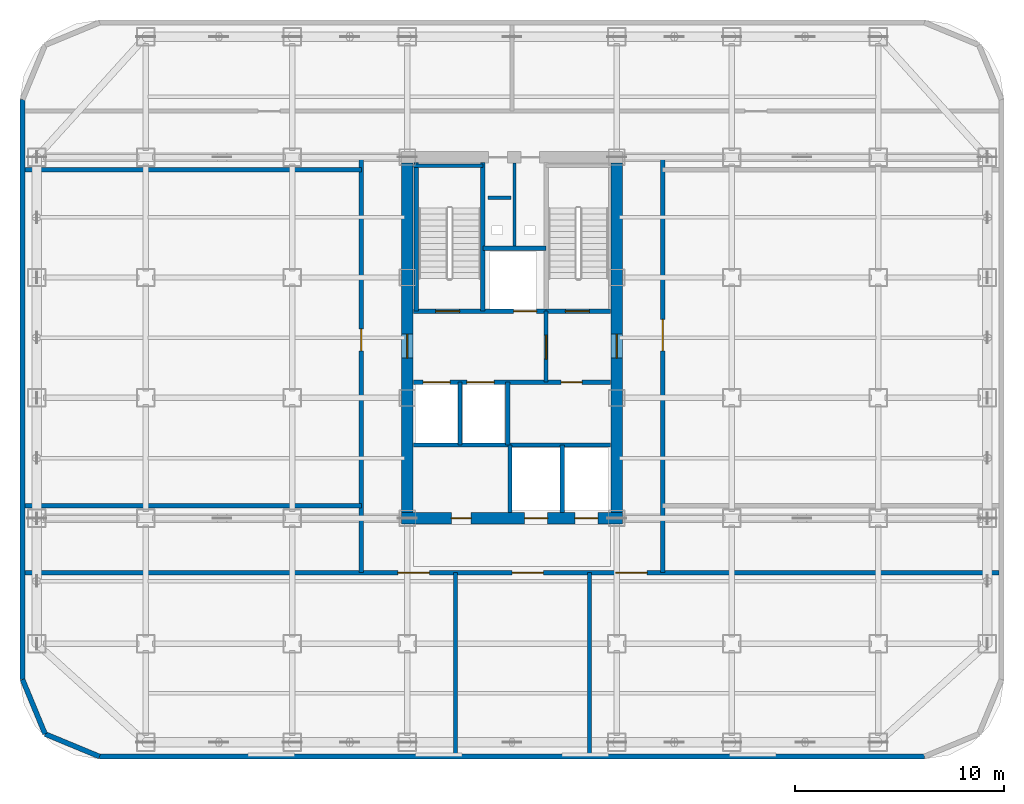
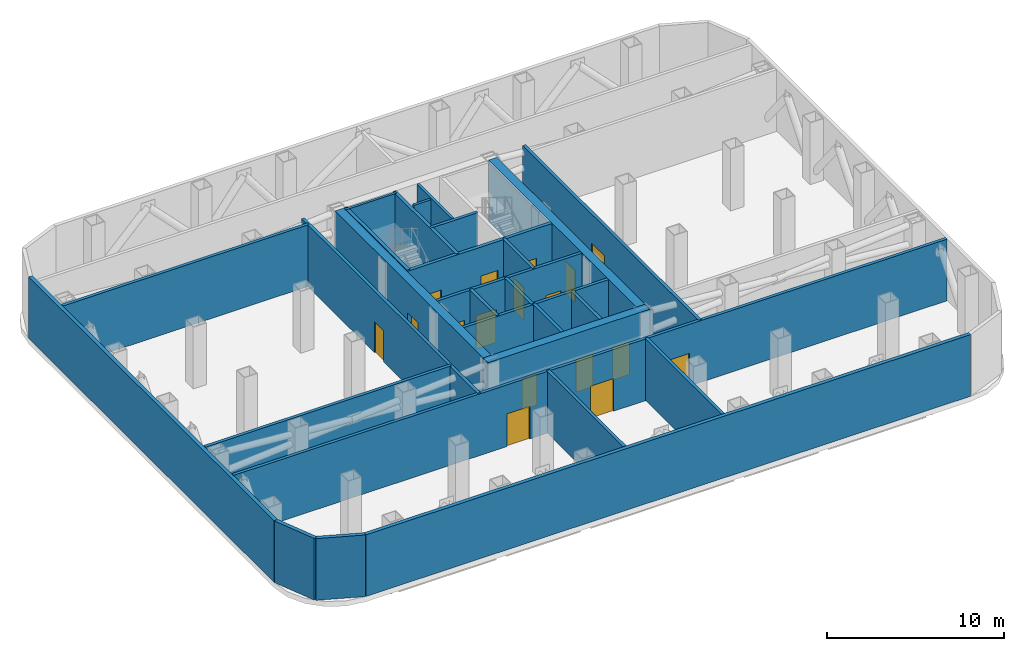
# One storey, part 7 of 9: 29 walls, 17 doors, 17 openings.
"""IFC4 building model written with IfcOpenShell, lengths in metres."""

from ifc_helpers import new_model, si_unit, direction, frame, frame_2d, origin, place, context, subcontext, project, spatial, rectangle, extrude, material, layer, layer_set, type_object, element, fill, save


model = new_model("IFC4")

# Units and contexts
model_context = context("Model", 3, precision=1e-05, world=origin(), true_north=direction((0.0, 1.0)))
body_context = subcontext(model_context, "Body", "Model", "MODEL_VIEW")
ifc_project = project(units=[si_unit("LENGTHUNIT", "METRE"), si_unit("AREAUNIT", "SQUARE_METRE"), si_unit("VOLUMEUNIT", "CUBIC_METRE"), si_unit("PLANEANGLEUNIT", "RADIAN"), si_unit("MASSUNIT", "GRAM", prefix="KILO")], contexts=[model_context])

# Site, building, storey
site_placement = place(None, origin())
site = spatial("IfcSite", under=ifc_project, at=site_placement, CompositionType="ELEMENT")
building_placement = place(site_placement, origin())
building = spatial("IfcBuilding", under=site, at=building_placement, Name="Kolveth Station Tower", CompositionType="ELEMENT")
storey_placement = place(building_placement, frame((0.0, 0.0, 143.89990234375)))
storey = spatial("IfcBuildingStorey", under=building, at=storey_placement, Name="L40", CompositionType="ELEMENT", Elevation=143.89990234375)

# Wall, openings, doors
ifc_material_1 = material(Name="Concrete C60/75", Category="concrete")
ifc_layer_1 = layer(ifc_material_1, 0.550048828125)
ifc_layer_set_1 = layer_set([ifc_layer_1], Name="Concrete C60/75")
wall_type_1 = type_object("IfcWallType", Name="Wall_CW-550", PredefinedType="SHEAR", material=ifc_layer_set_1)
wall_1_placement = place(storey_placement, frame((18.22509765625, 11.5, 0.0), z_axis=(0.0, 0.0, 1.0), x_axis=(1.0, 0.0, 0.0)))
wall_1 = element("IfcWall", 1, at=wall_1_placement, inside=storey, type_object=wall_type_1, Name="L40 Core RC Shear Wall S", PredefinedType="SHEAR", context=body_context, shape_type="SweptSolid", body=[
    extrude(rectangle(XDim=10.5498046875, YDim=0.550048828125, at=frame_2d((5.27490234375, 0.0))), origin(), (0.0, 0.0, 1.0), 4.25),
])
opening_1_placement = place(wall_1_placement, frame((2.375, 0.0, 0.0)))
opening_1 = element("IfcOpeningElement", 2, at=opening_1_placement, cuts=wall_1, Name="Opening ID1", PredefinedType="OPENING", context=body_context, shape_type="SweptSolid", body=[
    extrude(rectangle(XDim=0.949951171875, YDim=2.14990234375, at=frame_2d((0.47509765625, 1.074951171875))), frame((0.0, 0.284912109375, 0.0), z_axis=(0.0, -1.0, 0.0), x_axis=(1.0, 0.0, 0.0)), (0.0, 0.0, 1.0), 0.570068359375),
])
opening_2_placement = place(wall_1_placement, frame((5.875, 0.0, 0.0)))
opening_2 = element("IfcOpeningElement", 3, at=opening_2_placement, cuts=wall_1, Name="Opening LD1", PredefinedType="OPENING", context=body_context, shape_type="SweptSolid", body=[
    extrude(rectangle(XDim=1.10009765625, YDim=2.25, at=frame_2d((0.550048828125, 1.125))), frame((0.0, 0.284912109375, 0.0), z_axis=(0.0, -1.0, 0.0), x_axis=(1.0, 0.0, 0.0)), (0.0, 0.0, 1.0), 0.570068359375),
])
opening_3_placement = place(wall_1_placement, frame((8.27490234375, 0.0, 0.0)))
opening_3 = element("IfcOpeningElement", 4, at=opening_3_placement, cuts=wall_1, Name="Opening LD1", PredefinedType="OPENING", context=body_context, shape_type="SweptSolid", body=[
    extrude(rectangle(XDim=1.10009765625, YDim=2.25, at=frame_2d((0.550048828125, 1.125))), frame((0.0, 0.284912109375, 0.0), z_axis=(0.0, -1.0, 0.0), x_axis=(1.0, 0.0, 0.0)), (0.0, 0.0, 1.0), 0.570068359375),
])
ifc_material_2 = material(Name="Acoustic hardwood leaf and aluminium frame", Category="wood")
door_type_1 = type_object("IfcDoorType", Name="Door_ID1", OperationType="NOTDEFINED", PredefinedType="DOOR", material=ifc_material_2)
door_1_placement = place(opening_1_placement, frame((0.949951171875, 0.0, 0.0), z_axis=(0.0, 0.0, 1.0), x_axis=(-1.0, 0.0, 0.0)))
door_1 = element("IfcDoor", 5, at=door_1_placement, inside=storey, type_object=door_type_1, Name="L40 Hotel Pantry Door", OperationType="SINGLE_SWING_LEFT", OverallHeight=2.14990234375, OverallWidth=0.949951171875, PredefinedType="DOOR", context=body_context, shape_type="SweptSolid", body=[
    extrude(rectangle(XDim=0.949951171875, YDim=2.14990234375, at=frame_2d((0.47509765625, 1.074951171875))), frame((0.0, 0.02490234375, 0.0), z_axis=(0.0, -1.0, 0.0), x_axis=(1.0, 0.0, 0.0)), (0.0, 0.0, 1.0), 0.050048828125),
])
fill(opening_1, door_1)
ifc_material_3 = material(Name="Brushed stainless steel sliding landing doors", Category="steel")
door_type_2 = type_object("IfcDoorType", Name="Door_LD1", OperationType="NOTDEFINED", PredefinedType="DOOR", material=ifc_material_3)
door_2_placement = place(opening_2_placement, frame((1.10009765625, 0.0, 0.0), z_axis=(0.0, 0.0, 1.0), x_axis=(-1.0, 0.0, 0.0)))
door_2 = element("IfcDoor", 6, at=door_2_placement, inside=storey, type_object=door_type_2, Name="L40 Lift PM1 Landing Door", OperationType="DOUBLE_DOOR_SLIDING", OverallHeight=2.25, OverallWidth=1.10009765625, PredefinedType="DOOR", context=body_context, shape_type="SweptSolid", body=[
    extrude(rectangle(XDim=1.10009765625, YDim=2.25, at=frame_2d((0.550048828125, 1.125))), frame((0.0, 0.02490234375, 0.0), z_axis=(0.0, -1.0, 0.0), x_axis=(1.0, 0.0, 0.0)), (0.0, 0.0, 1.0), 0.050048828125),
])
fill(opening_2, door_2)
door_3_placement = place(opening_3_placement, frame((1.10009765625, 0.0, 0.0), z_axis=(0.0, 0.0, 1.0), x_axis=(-1.0, 0.0, 0.0)))
door_3 = element("IfcDoor", 7, at=door_3_placement, inside=storey, type_object=door_type_2, Name="L40 Lift PH1 Landing Door", OperationType="DOUBLE_DOOR_SLIDING", OverallHeight=2.25, OverallWidth=1.10009765625, PredefinedType="DOOR", context=body_context, shape_type="SweptSolid", body=[
    extrude(rectangle(XDim=1.10009765625, YDim=2.25, at=frame_2d((0.550048828125, 1.125))), frame((0.0, 0.02490234375, 0.0), z_axis=(0.0, -1.0, 0.0), x_axis=(1.0, 0.0, 0.0)), (0.0, 0.0, 1.0), 0.050048828125),
])
fill(opening_3, door_3)

# Wall, opening, door
wall_2_placement = place(storey_placement, frame((18.5, 11.77490234375, 0.0), z_axis=(0.0, 0.0, 1.0), x_axis=(0.0, 1.0, 0.0)))
wall_2 = element("IfcWall", 8, at=wall_2_placement, inside=storey, type_object=wall_type_1, Name="L40 Core RC Shear Wall W", PredefinedType="SHEAR", context=body_context, shape_type="SweptSolid", body=[
    extrude(rectangle(XDim=16.7001953125, YDim=0.550048828125, at=frame_2d((8.35009765625, 0.0))), origin(), (0.0, 0.0, 1.0), 4.25),
])
opening_4_placement = place(wall_2_placement, frame((7.375, 0.0, 0.0)))
opening_4 = element("IfcOpeningElement", 9, at=opening_4_placement, cuts=wall_2, Name="Opening FD1", PredefinedType="OPENING", context=body_context, shape_type="SweptSolid", body=[
    extrude(rectangle(XDim=1.14990234375, YDim=2.199951171875, at=frame_2d((0.574951171875, 1.10009765625))), frame((0.0, 0.284912109375, 0.0), z_axis=(0.0, -1.0, 0.0), x_axis=(1.0, 0.0, 0.0)), (0.0, 0.0, 1.0), 0.570068359375),
])
ifc_material_4 = material(Name="Fire-rated Steel S355 leaf and frame", Category="steel")
door_type_3 = type_object("IfcDoorType", Name="Door_FD1", OperationType="NOTDEFINED", PredefinedType="DOOR", material=ifc_material_4)
door_4_placement = place(opening_4_placement, frame((1.14990234375, 0.0, 0.0), z_axis=(0.0, 0.0, 1.0), x_axis=(-1.0, 0.0, 0.0)))
door_4 = element("IfcDoor", 10, at=door_4_placement, inside=storey, type_object=door_type_3, Name="L40 West Corridor to Firefighting Lobby Door", OperationType="SINGLE_SWING_LEFT", OverallHeight=2.199951171875, OverallWidth=1.14990234375, PredefinedType="DOOR", context=body_context, shape_type="SweptSolid", body=[
    extrude(rectangle(XDim=1.14990234375, YDim=2.199951171875, at=frame_2d((0.574951171875, 1.10009765625))), frame((0.0, 0.02490234375, 0.0), z_axis=(0.0, -1.0, 0.0), x_axis=(1.0, 0.0, 0.0)), (0.0, 0.0, 1.0), 0.050048828125),
])
fill(opening_4, door_4)

wall_3_placement = place(storey_placement, frame((28.5, 11.77490234375, 0.0), z_axis=(0.0, 0.0, 1.0), x_axis=(0.0, 1.0, 0.0)))
wall_3 = element("IfcWall", 11, at=wall_3_placement, inside=storey, type_object=wall_type_1, Name="L40 Core RC Shear Wall E", PredefinedType="SHEAR", context=body_context, shape_type="SweptSolid", body=[
    extrude(rectangle(XDim=16.7001953125, YDim=0.550048828125, at=frame_2d((8.35009765625, 0.0))), origin(), (0.0, 0.0, 1.0), 4.25),
])
opening_5_placement = place(wall_3_placement, frame((7.375, 0.0, 0.0)))
opening_5 = element("IfcOpeningElement", 12, at=opening_5_placement, cuts=wall_3, Name="Opening FD1", PredefinedType="OPENING", context=body_context, shape_type="SweptSolid", body=[
    extrude(rectangle(XDim=1.14990234375, YDim=2.199951171875, at=frame_2d((0.574951171875, 1.10009765625))), frame((0.0, 0.284912109375, 0.0), z_axis=(0.0, -1.0, 0.0), x_axis=(1.0, 0.0, 0.0)), (0.0, 0.0, 1.0), 0.570068359375),
])
door_5_placement = place(opening_5_placement, origin())
door_5 = element("IfcDoor", 13, at=door_5_placement, inside=storey, type_object=door_type_3, Name="L40 East Corridor to Stair Lobby Door", OperationType="SINGLE_SWING_LEFT", OverallHeight=2.199951171875, OverallWidth=1.14990234375, PredefinedType="DOOR", context=body_context, shape_type="SweptSolid", body=[
    extrude(rectangle(XDim=1.14990234375, YDim=2.199951171875, at=frame_2d((0.574951171875, 1.10009765625))), frame((0.0, 0.02490234375, 0.0), z_axis=(0.0, -1.0, 0.0), x_axis=(1.0, 0.0, 0.0)), (0.0, 0.0, 1.0), 0.050048828125),
])
fill(opening_5, door_5)

# Walls
ifc_material_5 = material(Name="Precast concrete C40/50", Category="concrete")
ifc_layer_2 = layer(ifc_material_5, 0.239990234375)
ifc_layer_set_2 = layer_set([ifc_layer_2], Name="Precast concrete C40/50")
wall_type_2 = type_object("IfcWallType", Name="Wall_EW-240", PredefinedType="SOLIDWALL", material=ifc_layer_set_2)
wall_4_placement = place(storey_placement, frame((0.1201171875, 31.5, 0.0), z_axis=(0.0, 0.0, 1.0), x_axis=(0.0, -1.0, 0.0)))
element("IfcWall", 14, at=wall_4_placement, inside=storey, type_object=wall_type_2, Name="L40 Plant Perimeter Spandrel Wall 9", PredefinedType="SOLIDWALL", context=body_context, shape_type="SweptSolid", body=[
    extrude(rectangle(XDim=27.699951171875, YDim=0.239990234375, at=frame_2d((13.85009765625, 0.0))), origin(), (0.0, 0.0, 1.0), 4.25),
])
for number, where, z_axis, x_axis, name in (
    (15, (0.1201171875, 3.800048828125, 0.0), (0.0, 0.0, 1.0), (0.382601872337, -0.923913311563, 0.0), "L40 Plant Perimeter Spandrel Wall 10"),
    (16, (1.19775390625, 1.19775390625, 0.0), (0.0, 0.0, 1.0), (0.923913311563, -0.382601872337, 0.0), "L40 Plant Perimeter Spandrel Wall 11"),
):
    element("IfcWall", number, at=place(storey_placement, frame(where, z_axis=z_axis, x_axis=x_axis)), inside=storey, type_object=wall_type_2, Name=name, PredefinedType="SOLIDWALL", context=body_context, shape_type="SweptSolid", body=[
        extrude(rectangle(XDim=2.816650390625, YDim=0.239990234375, at=frame_2d((1.408203125, 0.0))), origin(), (0.0, 0.0, 1.0), 4.25),
    ])
wall_5_placement = place(storey_placement, frame((3.800048828125, 0.1201171875, 0.0), z_axis=(0.0, 0.0, 1.0), x_axis=(1.0, 0.0, 0.0)))
element("IfcWall", 17, at=wall_5_placement, inside=storey, type_object=wall_type_2, Name="L40 Plant Perimeter Spandrel Wall 12", PredefinedType="SOLIDWALL", context=body_context, shape_type="SweptSolid", body=[
    extrude(rectangle(XDim=39.39990234375, YDim=0.239990234375, at=frame_2d((19.699951171875, 0.0))), origin(), (0.0, 0.0, 1.0), 4.25),
])
ifc_material_6 = material(Name="Acoustic double-stud gypsum partition")
ifc_layer_3 = layer(ifc_material_6, 0.1650390625)
ifc_layer_set_3 = layer_set([ifc_layer_3], Name="Acoustic double-stud gypsum partition")
wall_type_3 = type_object("IfcWallType", Name="Wall_IW-165", PredefinedType="PARTITIONING", material=ifc_layer_set_3)
wall_6_placement = place(storey_placement, frame((18.784912109375, 28.3349609375, 0.0), z_axis=(0.0, 0.0, 1.0), x_axis=(1.0, 0.0, 0.0)))
element("IfcWall", 18, at=wall_6_placement, inside=storey, type_object=wall_type_3, Name="L40 Stair Shaft Wall WL-L40-ST1-N", PredefinedType="PARTITIONING", context=body_context, shape_type="SweptSolid", body=[
    extrude(rectangle(XDim=3.3251953125, YDim=0.1650390625, at=frame_2d((1.66259765625, 0.0))), origin(), (0.0, 0.0, 1.0), 4.25),
])
wall_7_placement = place(storey_placement, frame((23.6201171875, 24.39990234375, 0.0), z_axis=(0.0, 0.0, 1.0), x_axis=(0.0, 1.0, 0.0)))
element("IfcWall", 19, at=wall_7_placement, inside=storey, type_object=wall_type_3, Name="L40 Partition Wall WL-L40-RSR-M", PredefinedType="PARTITIONING", context=body_context, shape_type="SweptSolid", body=[
    extrude(rectangle(XDim=4.065185546875, YDim=0.1650390625, at=frame_2d((2.03271484375, 0.0))), origin(), (0.0, 0.0, 1.0), 4.25),
])
wall_8_placement = place(storey_placement, frame((22.35009765625, 26.800048828125, 0.0), z_axis=(0.0, 0.0, 1.0), x_axis=(1.0, 0.0, 0.0)))
element("IfcWall", 20, at=wall_8_placement, inside=storey, type_object=wall_type_3, Name="L40 Acoustic Riser Dry-Lining Wall", PredefinedType="PARTITIONING", context=body_context, shape_type="SweptSolid", body=[
    extrude(rectangle(XDim=1.099853515625, YDim=0.1650390625, at=frame_2d((0.5498046875, 0.0))), origin(), (0.0, 0.0, 1.0), 4.25),
])
ifc_material_7 = material(Name="Acoustic fire-rated gypsum blockwork", Category="masonry")
ifc_layer_4 = layer(ifc_material_7, 0.199951171875)
ifc_layer_set_4 = layer_set([ifc_layer_4], Name="Acoustic fire-rated gypsum blockwork")
wall_type_4 = type_object("IfcWallType", Name="Wall_IW-200", PredefinedType="PARTITIONING", material=ifc_layer_set_4)
wall_9_placement = place(storey_placement, frame((22.110107421875, 24.39990234375, 0.0), z_axis=(0.0, 0.0, 1.0), x_axis=(1.0, 0.0, 0.0)))
element("IfcWall", 21, at=wall_9_placement, inside=storey, type_object=wall_type_4, Name="L40 Partition Wall WL-L40-RSR-S", PredefinedType="PARTITIONING", context=body_context, shape_type="SweptSolid", body=[
    extrude(rectangle(XDim=3.019775390625, YDim=0.199951171875, at=frame_2d((1.509765625, 0.0))), origin(), (0.0, 0.0, 1.0), 4.25),
])

# Wall, opening, door
wall_10_placement = place(storey_placement, frame((25.1298828125, 18.0, 0.0), z_axis=(0.0, 0.0, 1.0), x_axis=(0.0, 1.0, 0.0)))
wall_10 = element("IfcWall", 22, at=wall_10_placement, inside=storey, type_object=wall_type_4, Name="L40 Partition Wall WL-L40-FFL-E", PredefinedType="PARTITIONING", context=body_context, shape_type="SweptSolid", body=[
    extrude(rectangle(XDim=3.389892578125, YDim=0.199951171875, at=frame_2d((1.69482421875, 0.0))), origin(), (0.0, 0.0, 1.0), 4.25),
])
opening_6_placement = place(wall_10_placement, frame((1.10009765625, 0.0, 0.0)))
opening_6 = element("IfcOpeningElement", 23, at=opening_6_placement, cuts=wall_10, Name="Opening FD1", PredefinedType="OPENING", context=body_context, shape_type="SweptSolid", body=[
    extrude(rectangle(XDim=1.14990234375, YDim=2.199951171875, at=frame_2d((0.574951171875, 1.10009765625))), frame((0.0, 0.10986328125, 0.0), z_axis=(0.0, -1.0, 0.0), x_axis=(1.0, 0.0, 0.0)), (0.0, 0.0, 1.0), 0.219970703125),
])
door_6_placement = place(opening_6_placement, origin())
door_6 = element("IfcDoor", 24, at=door_6_placement, inside=storey, type_object=door_type_3, Name="L40 Firefighting to Stair Lobby Door", OperationType="SINGLE_SWING_LEFT", OverallHeight=2.199951171875, OverallWidth=1.14990234375, PredefinedType="DOOR", context=body_context, shape_type="SweptSolid", body=[
    extrude(rectangle(XDim=1.14990234375, YDim=2.199951171875, at=frame_2d((0.574951171875, 1.10009765625))), frame((0.0, 0.02490234375, 0.0), z_axis=(0.0, -1.0, 0.0), x_axis=(1.0, 0.0, 0.0)), (0.0, 0.0, 1.0), 0.050048828125),
])
fill(opening_6, door_6)

# Wall, openings, doors
wall_11_placement = place(storey_placement, frame((18.784912109375, 18.0, 0.0), z_axis=(0.0, 0.0, 1.0), x_axis=(1.0, 0.0, 0.0)))
wall_11 = element("IfcWall", 25, at=wall_11_placement, inside=storey, type_object=wall_type_4, Name="L40 Partition Wall WL-L40-FFL-S", PredefinedType="PARTITIONING", context=body_context, shape_type="SweptSolid", body=[
    extrude(rectangle(XDim=9.43017578125, YDim=0.199951171875, at=frame_2d((4.715087890625, 0.0))), origin(), (0.0, 0.0, 1.0), 4.25),
])
opening_7_placement = place(wall_11_placement, frame((0.465087890625, 0.0, 0.0)))
opening_7 = element("IfcOpeningElement", 26, at=opening_7_placement, cuts=wall_11, Name="Opening LD2", PredefinedType="OPENING", context=body_context, shape_type="SweptSolid", body=[
    extrude(rectangle(XDim=1.300048828125, YDim=2.300048828125, at=frame_2d((0.64990234375, 1.14990234375))), frame((0.0, 0.10986328125, 0.0), z_axis=(0.0, -1.0, 0.0), x_axis=(1.0, 0.0, 0.0)), (0.0, 0.0, 1.0), 0.219970703125),
])
opening_8_placement = place(wall_11_placement, frame((2.56494140625, 0.0, 0.0)))
opening_8 = element("IfcOpeningElement", 27, at=opening_8_placement, cuts=wall_11, Name="Opening LD2", PredefinedType="OPENING", context=body_context, shape_type="SweptSolid", body=[
    extrude(rectangle(XDim=1.300048828125, YDim=2.300048828125, at=frame_2d((0.64990234375, 1.14990234375))), frame((0.0, 0.10986328125, 0.0), z_axis=(0.0, -1.0, 0.0), x_axis=(1.0, 0.0, 0.0)), (0.0, 0.0, 1.0), 0.219970703125),
])
opening_9_placement = place(wall_11_placement, frame((7.06494140625, 0.0, 0.0)))
opening_9 = element("IfcOpeningElement", 28, at=opening_9_placement, cuts=wall_11, Name="Opening FD3", PredefinedType="OPENING", context=body_context, shape_type="SweptSolid", body=[
    extrude(rectangle(XDim=1.0, YDim=2.14990234375, at=frame_2d((0.5, 1.074951171875))), frame((0.0, 0.10986328125, 0.0), z_axis=(0.0, -1.0, 0.0), x_axis=(1.0, 0.0, 0.0)), (0.0, 0.0, 1.0), 0.219970703125),
])
ifc_material_8 = material(Name="Fire-rated hardwood leaf and aluminium frame", Category="wood")
door_type_4 = type_object("IfcDoorType", Name="Door_FD3", OperationType="NOTDEFINED", PredefinedType="DOOR", material=ifc_material_8)
door_7_placement = place(opening_9_placement, frame((1.0, 0.0, 0.0), z_axis=(0.0, 0.0, 1.0), x_axis=(-1.0, 0.0, 0.0)))
door_7 = element("IfcDoor", 29, at=door_7_placement, inside=storey, type_object=door_type_4, Name="L40 Housekeeping and Linen Room Door", OperationType="SINGLE_SWING_RIGHT", OverallHeight=2.14990234375, OverallWidth=1.0, PredefinedType="DOOR", context=body_context, shape_type="SweptSolid", body=[
    extrude(rectangle(XDim=1.0, YDim=2.14990234375, at=frame_2d((0.5, 1.074951171875))), frame((0.0, 0.02490234375, 0.0), z_axis=(0.0, -1.0, 0.0), x_axis=(1.0, 0.0, 0.0)), (0.0, 0.0, 1.0), 0.050048828125),
])
fill(opening_9, door_7)
ifc_material_9 = material(Name="Firefighting stainless steel sliding landing doors", Category="steel")
door_type_5 = type_object("IfcDoorType", Name="Door_LD2", OperationType="NOTDEFINED", PredefinedType="DOOR", material=ifc_material_9)
door_8_placement = place(opening_7_placement, origin())
door_8 = element("IfcDoor", 30, at=door_8_placement, inside=storey, type_object=door_type_5, Name="L40 Firefighting Lift FF1 Landing Door", OperationType="DOUBLE_DOOR_SLIDING", OverallHeight=2.300048828125, OverallWidth=1.300048828125, PredefinedType="DOOR", context=body_context, shape_type="SweptSolid", body=[
    extrude(rectangle(XDim=1.300048828125, YDim=2.300048828125, at=frame_2d((0.64990234375, 1.14990234375))), frame((0.0, 0.02490234375, 0.0), z_axis=(0.0, -1.0, 0.0), x_axis=(1.0, 0.0, 0.0)), (0.0, 0.0, 1.0), 0.050048828125),
])
fill(opening_7, door_8)
door_9_placement = place(opening_8_placement, origin())
door_9 = element("IfcDoor", 31, at=door_9_placement, inside=storey, type_object=door_type_5, Name="L40 Firefighting Lift FF2 Landing Door", OperationType="DOUBLE_DOOR_SLIDING", OverallHeight=2.300048828125, OverallWidth=1.300048828125, PredefinedType="DOOR", context=body_context, shape_type="SweptSolid", body=[
    extrude(rectangle(XDim=1.300048828125, YDim=2.300048828125, at=frame_2d((0.64990234375, 1.14990234375))), frame((0.0, 0.02490234375, 0.0), z_axis=(0.0, -1.0, 0.0), x_axis=(1.0, 0.0, 0.0)), (0.0, 0.0, 1.0), 0.050048828125),
])
fill(opening_8, door_9)

# Walls
for number, where, z_axis, x_axis, name in (
    (32, (21.02001953125, 15.0, 0.0), (0.0, 0.0, 1.0), (0.0, 1.0, 0.0), "L40 Partition Wall WL-L40-FF12"),
    (33, (23.300048828125, 15.0, 0.0), (0.0, 0.0, 1.0), (0.0, 1.0, 0.0), "L40 Partition Wall WL-L40-FF2E"),
):
    element("IfcWall", number, at=place(storey_placement, frame(where, z_axis=z_axis, x_axis=x_axis)), inside=storey, type_object=wall_type_4, Name=name, PredefinedType="PARTITIONING", context=body_context, shape_type="SweptSolid", body=[
        extrude(rectangle(XDim=3.0, YDim=0.199951171875, at=frame_2d((1.5, 0.0))), origin(), (0.0, 0.0, 1.0), 4.25),
    ])
wall_12_placement = place(storey_placement, frame((18.784912109375, 15.0, 0.0), z_axis=(0.0, 0.0, 1.0), x_axis=(1.0, 0.0, 0.0)))
element("IfcWall", 34, at=wall_12_placement, inside=storey, type_object=wall_type_4, Name="L40 Partition Wall WL-L40-BOH-S", PredefinedType="PARTITIONING", context=body_context, shape_type="SweptSolid", body=[
    extrude(rectangle(XDim=9.43017578125, YDim=0.199951171875, at=frame_2d((4.715087890625, 0.0))), origin(), (0.0, 0.0, 1.0), 4.25),
])
for number, where, z_axis, x_axis, name in (
    (35, (23.39990234375, 11.784912109375, 0.0), (0.0, 0.0, 1.0), (0.0, 1.0, 0.0), "L40 Partition Wall WL-L40-PL2E"),
    (36, (25.89990234375, 11.784912109375, 0.0), (0.0, 0.0, 1.0), (0.0, 1.0, 0.0), "L40 Partition Wall WL-L40-PMPH"),
):
    element("IfcWall", number, at=place(storey_placement, frame(where, z_axis=z_axis, x_axis=x_axis)), inside=storey, type_object=wall_type_4, Name=name, PredefinedType="PARTITIONING", context=body_context, shape_type="SweptSolid", body=[
        extrude(rectangle(XDim=3.215087890625, YDim=0.199951171875, at=frame_2d((1.607421875, 0.0))), origin(), (0.0, 0.0, 1.0), 4.25),
    ])

# Wall, openings, doors
wall_13_placement = place(storey_placement, frame((0.25, 8.89990234375, 0.0), z_axis=(0.0, 0.0, 1.0), x_axis=(1.0, 0.0, 0.0)))
wall_13 = element("IfcWall", 37, at=wall_13_placement, inside=storey, type_object=wall_type_4, Name="L40 Partition Wall WL-L40-PR-S", PredefinedType="PARTITIONING", context=body_context, shape_type="SweptSolid", body=[
    extrude(rectangle(XDim=46.5, YDim=0.199951171875, at=frame_2d((23.25, 0.0))), origin(), (0.0, 0.0, 1.0), 4.25),
])
opening_10_placement = place(wall_13_placement, frame((17.800048828125, 0.0, 0.0)))
opening_10 = element("IfcOpeningElement", 38, at=opening_10_placement, cuts=wall_13, Name="Opening FD4", PredefinedType="OPENING", context=body_context, shape_type="SweptSolid", body=[
    extrude(rectangle(XDim=1.5, YDim=2.25, at=frame_2d((0.75, 1.125))), frame((0.0, 0.10986328125, 0.0), z_axis=(0.0, -1.0, 0.0), x_axis=(1.0, 0.0, 0.0)), (0.0, 0.0, 1.0), 0.219970703125),
])
opening_11_placement = place(wall_13_placement, frame((23.25, 0.0, 0.0)))
opening_11 = element("IfcOpeningElement", 39, at=opening_11_placement, cuts=wall_13, Name="Opening FD4", PredefinedType="OPENING", context=body_context, shape_type="SweptSolid", body=[
    extrude(rectangle(XDim=1.5, YDim=2.25, at=frame_2d((0.75, 1.125))), frame((0.0, 0.10986328125, 0.0), z_axis=(0.0, -1.0, 0.0), x_axis=(1.0, 0.0, 0.0)), (0.0, 0.0, 1.0), 0.219970703125),
])
opening_12_placement = place(wall_13_placement, frame((28.199951171875, 0.0, 0.0)))
opening_12 = element("IfcOpeningElement", 40, at=opening_12_placement, cuts=wall_13, Name="Opening FD4", PredefinedType="OPENING", context=body_context, shape_type="SweptSolid", body=[
    extrude(rectangle(XDim=1.5, YDim=2.25, at=frame_2d((0.75, 1.125))), frame((0.0, 0.10986328125, 0.0), z_axis=(0.0, -1.0, 0.0), x_axis=(1.0, 0.0, 0.0)), (0.0, 0.0, 1.0), 0.219970703125),
])
ifc_material_10 = material(Name="Fire-rated double Steel S355 leaf", Category="steel")
door_type_6 = type_object("IfcDoorType", Name="Door_FD4", OperationType="NOTDEFINED", PredefinedType="DOOR", material=ifc_material_10)
door_10_placement = place(opening_10_placement, frame((1.5, 0.0, 0.0), z_axis=(0.0, 0.0, 1.0), x_axis=(-1.0, 0.0, 0.0)))
door_10 = element("IfcDoor", 41, at=door_10_placement, inside=storey, type_object=door_type_6, Name="L40 Chiller Plant Room Door", OperationType="SINGLE_SWING_RIGHT", OverallHeight=2.25, OverallWidth=1.5, PredefinedType="DOOR", context=body_context, shape_type="SweptSolid", body=[
    extrude(rectangle(XDim=1.5, YDim=2.25, at=frame_2d((0.75, 1.125))), frame((0.0, 0.02490234375, 0.0), z_axis=(0.0, -1.0, 0.0), x_axis=(1.0, 0.0, 0.0)), (0.0, 0.0, 1.0), 0.050048828125),
])
fill(opening_10, door_10)
door_11_placement = place(opening_11_placement, frame((1.5, 0.0, 0.0), z_axis=(0.0, 0.0, 1.0), x_axis=(-1.0, 0.0, 0.0)))
door_11 = element("IfcDoor", 42, at=door_11_placement, inside=storey, type_object=door_type_6, Name="L40 Refuge Area South Door", OperationType="SINGLE_SWING_LEFT", OverallHeight=2.25, OverallWidth=1.5, PredefinedType="DOOR", context=body_context, shape_type="SweptSolid", body=[
    extrude(rectangle(XDim=1.5, YDim=2.25, at=frame_2d((0.75, 1.125))), frame((0.0, 0.02490234375, 0.0), z_axis=(0.0, -1.0, 0.0), x_axis=(1.0, 0.0, 0.0)), (0.0, 0.0, 1.0), 0.050048828125),
])
fill(opening_11, door_11)
door_12_placement = place(opening_12_placement, frame((1.5, 0.0, 0.0), z_axis=(0.0, 0.0, 1.0), x_axis=(-1.0, 0.0, 0.0)))
door_12 = element("IfcDoor", 43, at=door_12_placement, inside=storey, type_object=door_type_6, Name="L40 Medium Voltage Switchgear Room Door", OperationType="SINGLE_SWING_RIGHT", OverallHeight=2.25, OverallWidth=1.5, PredefinedType="DOOR", context=body_context, shape_type="SweptSolid", body=[
    extrude(rectangle(XDim=1.5, YDim=2.25, at=frame_2d((0.75, 1.125))), frame((0.0, 0.02490234375, 0.0), z_axis=(0.0, -1.0, 0.0), x_axis=(1.0, 0.0, 0.0)), (0.0, 0.0, 1.0), 0.050048828125),
])
fill(opening_12, door_12)

# Wall, opening, door
wall_14_placement = place(storey_placement, frame((16.300048828125, 8.89990234375, 0.0), z_axis=(0.0, 0.0, 1.0), x_axis=(0.0, 1.0, 0.0)))
wall_14 = element("IfcWall", 44, at=wall_14_placement, inside=storey, type_object=wall_type_4, Name="L40 Partition Wall WL-L40-PR-W", PredefinedType="PARTITIONING", context=body_context, shape_type="SweptSolid", body=[
    extrude(rectangle(XDim=19.85009765625, YDim=0.199951171875, at=frame_2d((9.925048828125, 0.0))), origin(), (0.0, 0.0, 1.0), 4.25),
])
opening_13_placement = place(wall_14_placement, frame((10.60009765625, 0.0, 0.0)))
opening_13 = element("IfcOpeningElement", 45, at=opening_13_placement, cuts=wall_14, Name="Opening FD2", PredefinedType="OPENING", context=body_context, shape_type="SweptSolid", body=[
    extrude(rectangle(XDim=1.050048828125, YDim=2.14990234375, at=frame_2d((0.52490234375, 1.074951171875))), frame((0.0, 0.10986328125, 0.0), z_axis=(0.0, -1.0, 0.0), x_axis=(1.0, 0.0, 0.0)), (0.0, 0.0, 1.0), 0.219970703125),
])
door_type_7 = type_object("IfcDoorType", Name="Door_FD2", OperationType="NOTDEFINED", PredefinedType="DOOR", material=ifc_material_4)
door_13_placement = place(opening_13_placement, frame((1.050048828125, 0.0, 0.0), z_axis=(0.0, 0.0, 1.0), x_axis=(-1.0, 0.0, 0.0)))
door_13 = element("IfcDoor", 46, at=door_13_placement, inside=storey, type_object=door_type_7, Name="L40 Smoke Plant Room Door", OperationType="SINGLE_SWING_LEFT", OverallHeight=2.14990234375, OverallWidth=1.050048828125, PredefinedType="DOOR", context=body_context, shape_type="SweptSolid", body=[
    extrude(rectangle(XDim=1.050048828125, YDim=2.14990234375, at=frame_2d((0.52490234375, 1.074951171875))), frame((0.0, 0.02490234375, 0.0), z_axis=(0.0, -1.0, 0.0), x_axis=(1.0, 0.0, 0.0)), (0.0, 0.0, 1.0), 0.050048828125),
])
fill(opening_13, door_13)

wall_15_placement = place(storey_placement, frame((30.699951171875, 8.89990234375, 0.0), z_axis=(0.0, 0.0, 1.0), x_axis=(0.0, 1.0, 0.0)))
wall_15 = element("IfcWall", 47, at=wall_15_placement, inside=storey, type_object=wall_type_4, Name="L40 Partition Wall WL-L40-PR-E", PredefinedType="PARTITIONING", context=body_context, shape_type="SweptSolid", body=[
    extrude(rectangle(XDim=19.85009765625, YDim=0.199951171875, at=frame_2d((9.925048828125, 0.0))), origin(), (0.0, 0.0, 1.0), 4.25),
])
opening_14_placement = place(wall_15_placement, frame((10.60009765625, 0.0, 0.0)))
opening_14 = element("IfcOpeningElement", 48, at=opening_14_placement, cuts=wall_15, Name="Opening FD4", PredefinedType="OPENING", context=body_context, shape_type="SweptSolid", body=[
    extrude(rectangle(XDim=1.5, YDim=2.25, at=frame_2d((0.75, 1.125))), frame((0.0, 0.10986328125, 0.0), z_axis=(0.0, -1.0, 0.0), x_axis=(1.0, 0.0, 0.0)), (0.0, 0.0, 1.0), 0.219970703125),
])
door_14_placement = place(opening_14_placement, origin())
door_14 = element("IfcDoor", 49, at=door_14_placement, inside=storey, type_object=door_type_6, Name="L40 Heat Recovery Plant Door", OperationType="DOUBLE_DOOR_SINGLE_SWING", OverallHeight=2.25, OverallWidth=1.5, PredefinedType="DOOR", context=body_context, shape_type="SweptSolid", body=[
    extrude(rectangle(XDim=1.5, YDim=2.25, at=frame_2d((0.75, 1.125))), frame((0.0, 0.02490234375, 0.0), z_axis=(0.0, -1.0, 0.0), x_axis=(1.0, 0.0, 0.0)), (0.0, 0.0, 1.0), 0.050048828125),
])
fill(opening_14, door_14)

# Walls
for number, where, z_axis, x_axis, name in (
    (50, (20.800048828125, 0.25, 0.0), (0.0, 0.0, 1.0), (0.0, 1.0, 0.0), "L40 Partition Wall WL-L40-PS-P1"),
    (51, (27.199951171875, 0.25, 0.0), (0.0, 0.0, 1.0), (0.0, 1.0, 0.0), "L40 Partition Wall WL-L40-PS-P2"),
):
    element("IfcWall", number, at=place(storey_placement, frame(where, z_axis=z_axis, x_axis=x_axis)), inside=storey, type_object=wall_type_4, Name=name, PredefinedType="PARTITIONING", context=body_context, shape_type="SweptSolid", body=[
        extrude(rectangle(XDim=8.64990234375, YDim=0.199951171875, at=frame_2d((4.324951171875, 0.0))), origin(), (0.0, 0.0, 1.0), 4.25),
    ])
for number, where, z_axis, x_axis, name in (
    (52, (0.25, 12.10009765625, 0.0), (0.0, 0.0, 1.0), (1.0, 0.0, 0.0), "L40 Partition Wall WL-L40-OG-WS"),
    (53, (0.25, 28.14990234375, 0.0), (0.0, 0.0, 1.0), (1.0, 0.0, 0.0), "L40 Partition Wall WL-L40-OG-WN"),
):
    element("IfcWall", number, at=place(storey_placement, frame(where, z_axis=z_axis, x_axis=x_axis)), inside=storey, type_object=wall_type_4, Name=name, PredefinedType="PARTITIONING", context=body_context, shape_type="SweptSolid", body=[
        extrude(rectangle(XDim=16.050048828125, YDim=0.199951171875, at=frame_2d((8.02490234375, 0.0))), origin(), (0.0, 0.0, 1.0), 4.25),
    ])
ifc_material_11 = material(Name="Concrete C40/50", Category="concrete")
ifc_layer_5 = layer(ifc_material_11, 0.219970703125)
ifc_layer_set_5 = layer_set([ifc_layer_5], Name="Concrete C40/50")
wall_type_5 = type_object("IfcWallType", Name="Wall_IW-220", PredefinedType="SOLIDWALL", material=ifc_layer_set_5)
for number, where, z_axis, x_axis, name in (
    (54, (18.929931640625, 21.389892578125, 0.0), (0.0, 0.0, 1.0), (0.0, 1.0, 0.0), "L40 Stair Shaft Wall WL-L40-ST1-W"),
    (55, (22.110107421875, 21.389892578125, 0.0), (0.0, 0.0, 1.0), (0.0, 1.0, 0.0), "L40 Stair Shaft Wall WL-L40-ST1-E"),
):
    element("IfcWall", number, at=place(storey_placement, frame(where, z_axis=z_axis, x_axis=x_axis)), inside=storey, type_object=wall_type_5, Name=name, PredefinedType="SOLIDWALL", context=body_context, shape_type="SweptSolid", body=[
        extrude(rectangle(XDim=7.110107421875, YDim=0.219970703125, at=frame_2d((3.55517578125, 0.0))), origin(), (0.0, 0.0, 1.0), 4.25),
    ])

# Wall, openings, doors
wall_16_placement = place(storey_placement, frame((18.784912109375, 21.389892578125, 0.0), z_axis=(0.0, 0.0, 1.0), x_axis=(1.0, 0.0, 0.0)))
wall_16 = element("IfcWall", 56, at=wall_16_placement, inside=storey, type_object=wall_type_5, Name="L40 Stair Shaft Wall WL-L40-ST1-S", PredefinedType="SOLIDWALL", context=body_context, shape_type="SweptSolid", body=[
    extrude(rectangle(XDim=6.344970703125, YDim=0.219970703125, at=frame_2d((3.17236328125, 0.0))), origin(), (0.0, 0.0, 1.0), 4.25),
])
opening_15_placement = place(wall_16_placement, frame((1.06494140625, 0.0, 0.0)))
opening_15 = element("IfcOpeningElement", 57, at=opening_15_placement, cuts=wall_16, Name="Opening FD1", PredefinedType="OPENING", context=body_context, shape_type="SweptSolid", body=[
    extrude(rectangle(XDim=1.14990234375, YDim=2.199951171875, at=frame_2d((0.574951171875, 1.10009765625))), frame((0.0, 0.119873046875, 0.0), z_axis=(0.0, -1.0, 0.0), x_axis=(1.0, 0.0, 0.0)), (0.0, 0.0, 1.0), 0.239990234375),
])
opening_16_placement = place(wall_16_placement, frame((4.794921875, 0.0, 0.0)))
opening_16 = element("IfcOpeningElement", 58, at=opening_16_placement, cuts=wall_16, Name="Opening LD1", PredefinedType="OPENING", context=body_context, shape_type="SweptSolid", body=[
    extrude(rectangle(XDim=1.10009765625, YDim=2.25, at=frame_2d((0.550048828125, 1.125))), frame((0.0, 0.119873046875, 0.0), z_axis=(0.0, -1.0, 0.0), x_axis=(1.0, 0.0, 0.0)), (0.0, 0.0, 1.0), 0.239990234375),
])
door_15_placement = place(opening_15_placement, frame((1.14990234375, 0.0, 0.0), z_axis=(0.0, 0.0, 1.0), x_axis=(-1.0, 0.0, 0.0)))
door_15 = element("IfcDoor", 59, at=door_15_placement, inside=storey, type_object=door_type_3, Name="L40 Stair ST1 Fire Door", OperationType="SINGLE_SWING_LEFT", OverallHeight=2.199951171875, OverallWidth=1.14990234375, PredefinedType="DOOR", context=body_context, shape_type="SweptSolid", body=[
    extrude(rectangle(XDim=1.14990234375, YDim=2.199951171875, at=frame_2d((0.574951171875, 1.10009765625))), frame((0.0, 0.02490234375, 0.0), z_axis=(0.0, -1.0, 0.0), x_axis=(1.0, 0.0, 0.0)), (0.0, 0.0, 1.0), 0.050048828125),
])
fill(opening_15, door_15)
door_16_placement = place(opening_16_placement, frame((1.10009765625, 0.0, 0.0), z_axis=(0.0, 0.0, 1.0), x_axis=(-1.0, 0.0, 0.0)))
door_16 = element("IfcDoor", 60, at=door_16_placement, inside=storey, type_object=door_type_2, Name="L40 Service Lift SV1 Landing Door", OperationType="DOUBLE_DOOR_SLIDING", OverallHeight=2.25, OverallWidth=1.10009765625, PredefinedType="DOOR", context=body_context, shape_type="SweptSolid", body=[
    extrude(rectangle(XDim=1.10009765625, YDim=2.25, at=frame_2d((0.550048828125, 1.125))), frame((0.0, 0.02490234375, 0.0), z_axis=(0.0, -1.0, 0.0), x_axis=(1.0, 0.0, 0.0)), (0.0, 0.0, 1.0), 0.050048828125),
])
fill(opening_16, door_16)

# Wall, opening, door
wall_17_placement = place(storey_placement, frame((25.1298828125, 21.389892578125, 0.0), z_axis=(0.0, 0.0, 1.0), x_axis=(1.0, 0.0, 0.0)))
wall_17 = element("IfcWall", 61, at=wall_17_placement, inside=storey, type_object=wall_type_5, Name="L40 Stair Shaft Wall WL-L40-ST2-S", PredefinedType="SOLIDWALL", context=body_context, shape_type="SweptSolid", body=[
    extrude(rectangle(XDim=3.085205078125, YDim=0.219970703125, at=frame_2d((1.54248046875, 0.0))), origin(), (0.0, 0.0, 1.0), 4.25),
])
opening_17_placement = place(wall_17_placement, frame((0.919921875, 0.0, 0.0)))
opening_17 = element("IfcOpeningElement", 62, at=opening_17_placement, cuts=wall_17, Name="Opening FD1", PredefinedType="OPENING", context=body_context, shape_type="SweptSolid", body=[
    extrude(rectangle(XDim=1.14990234375, YDim=2.199951171875, at=frame_2d((0.574951171875, 1.10009765625))), frame((0.0, 0.119873046875, 0.0), z_axis=(0.0, -1.0, 0.0), x_axis=(1.0, 0.0, 0.0)), (0.0, 0.0, 1.0), 0.239990234375),
])
door_17_placement = place(opening_17_placement, frame((1.14990234375, 0.0, 0.0), z_axis=(0.0, 0.0, 1.0), x_axis=(-1.0, 0.0, 0.0)))
door_17 = element("IfcDoor", 63, at=door_17_placement, inside=storey, type_object=door_type_3, Name="L40 Stair ST2 Fire Door", OperationType="SINGLE_SWING_RIGHT", OverallHeight=2.199951171875, OverallWidth=1.14990234375, PredefinedType="DOOR", context=body_context, shape_type="SweptSolid", body=[
    extrude(rectangle(XDim=1.14990234375, YDim=2.199951171875, at=frame_2d((0.574951171875, 1.10009765625))), frame((0.0, 0.02490234375, 0.0), z_axis=(0.0, -1.0, 0.0), x_axis=(1.0, 0.0, 0.0)), (0.0, 0.0, 1.0), 0.050048828125),
])
fill(opening_17, door_17)

save(model, "model.ifc")
